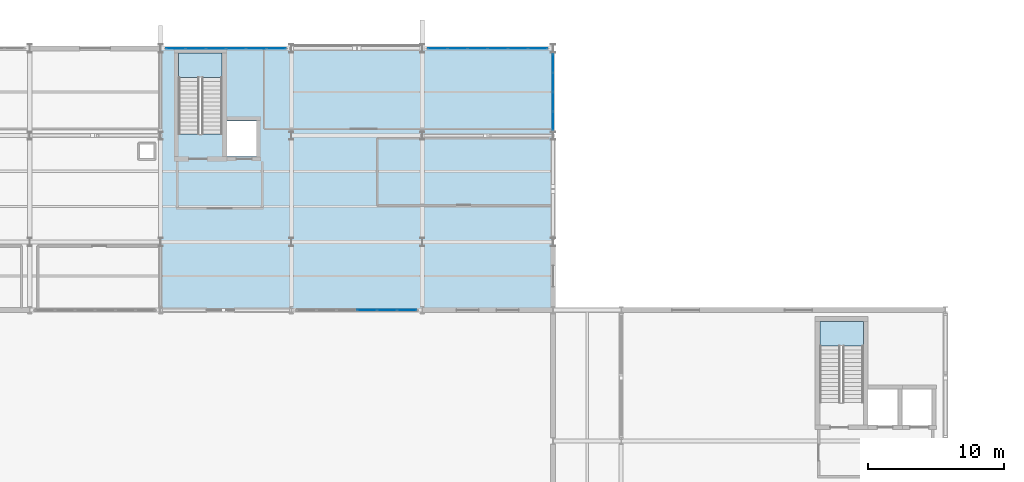
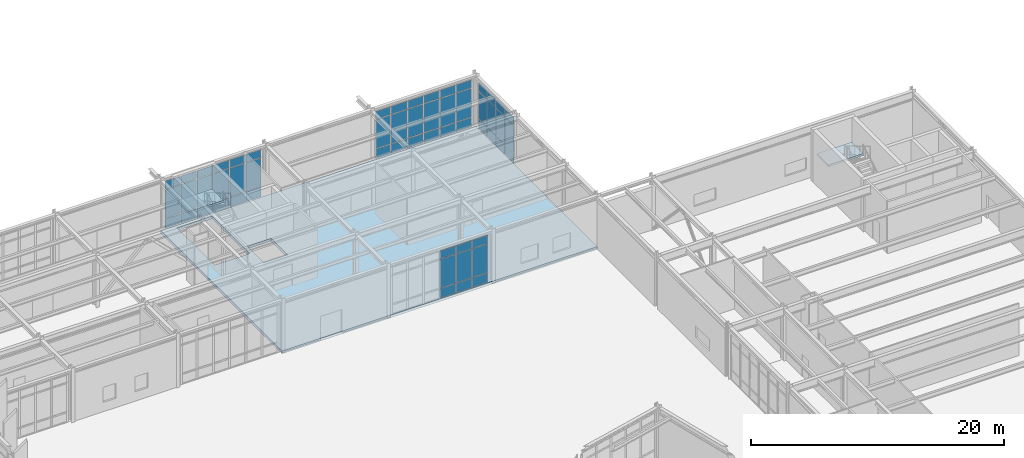
# One storey, part 76 of 109: 57 plates, 3 slabs, 6 elements without a shape of their own.
"""IFC4 building model written with IfcOpenShell, lengths in metres."""

from ifc_helpers import new_model, si_unit, direction, frame, origin, origin_2d, place, context, subcontext, project, spatial, polyline, rectangle, outline, extrude, material, layer, layer_set, type_object, element, aggregate, save


model = new_model("IFC4")

# Units and contexts
model_context = context("Model", 3, precision=1e-05, world=origin(), true_north=direction((0.0, 1.0)))
body_context = subcontext(model_context, "Body", "Model", "MODEL_VIEW")
ifc_project = project(units=[si_unit("LENGTHUNIT", "METRE"), si_unit("AREAUNIT", "SQUARE_METRE"), si_unit("VOLUMEUNIT", "CUBIC_METRE"), si_unit("PLANEANGLEUNIT", "RADIAN"), si_unit("MASSUNIT", "GRAM", prefix="KILO")], contexts=[model_context])

# Site, building, storey
site_placement = place(None, origin())
site = spatial("IfcSite", under=ifc_project, at=site_placement, CompositionType="ELEMENT")
building_placement = place(site_placement, origin())
building = spatial("IfcBuilding", under=site, at=building_placement, Name="Nordkorset Police Headquarters", CompositionType="ELEMENT")
storey_placement = place(building_placement, origin())
storey = spatial("IfcBuildingStorey", under=building, at=storey_placement, Name="L00", CompositionType="ELEMENT", Elevation=0.0)

# Curtain wall, plates
ifc_material_1 = material(Name="Aluminium alloy AW-6060", Category="aluminium")
ifc_layer_1 = layer(ifc_material_1, 0.179931640625, Name="Aluminium alloy AW-6060")
ifc_layer_set_1 = layer_set([ifc_layer_1], Name="Aluminium alloy AW-6060")
curtain_wall_type_1 = type_object("IfcCurtainWallType", Name="CW_Unit_888x467", PredefinedType="USERDEFINED", material=ifc_layer_set_1)
curtain_wall_1_placement = place(storey_placement, origin())
curtain_wall_1 = element("IfcCurtainWall", 1, at=curtain_wall_1_placement, inside=storey, type_object=curtain_wall_type_1, Name="Unitised Curtain Wall L00 V2N-3", ObjectType="UNITISED CURTAIN WALL", PredefinedType="USERDEFINED")
ifc_material_2 = material(Name="Low-iron triple glazing", Category="glass")
ifc_layer_2 = layer(ifc_material_2, 0.035888671875, Name="Low-iron triple glazing")
ifc_layer_set_2 = layer_set([ifc_layer_2], Name="Low-iron triple glazing")
plate_type = type_object("IfcPlateType", Name="CW_Panel_TripleGlazing_36", PredefinedType="CURTAIN_PANEL", material=ifc_layer_set_2)
plate_1_placement = place(storey_placement, frame((58.71630859375, 116.800048828125, 0.06494140625), z_axis=(0.0, 0.0, 1.0), x_axis=(1.0, 0.0, 0.0)))
plate_1 = element("IfcPlate", 2, at=plate_1_placement, type_object=plate_type, Name="CW-51 panel 1.1", PredefinedType="CURTAIN_PANEL", context=body_context, shape_type="SweptSolid", body=[
    extrude(rectangle(XDim=1.382568359375, YDim=0.035888671875, at=origin_2d()), origin(), (0.0, 0.0, 1.0), 0.902587890625),
])
plate_2_placement = place(storey_placement, frame((58.71630859375, 116.800048828125, 1.032470703125), z_axis=(0.0, 0.0, 1.0), x_axis=(1.0, 0.0, 0.0)))
plate_2 = element("IfcPlate", 3, at=plate_2_placement, type_object=plate_type, Name="CW-51 panel 1.2", PredefinedType="CURTAIN_PANEL", context=body_context, shape_type="SweptSolid", body=[
    extrude(rectangle(XDim=1.382568359375, YDim=0.035888671875, at=origin_2d()), origin(), (0.0, 0.0, 1.0), 2.7548828125),
])
plate_3_placement = place(storey_placement, frame((58.71630859375, 116.800048828125, 3.8525390625), z_axis=(0.0, 0.0, 1.0), x_axis=(1.0, 0.0, 0.0)))
plate_3 = element("IfcPlate", 4, at=plate_3_placement, type_object=plate_type, Name="CW-51 panel 1.3", PredefinedType="CURTAIN_PANEL", context=body_context, shape_type="SweptSolid", body=[
    extrude(rectangle(XDim=1.382568359375, YDim=0.035888671875, at=origin_2d()), origin(), (0.0, 0.0, 1.0), 0.75244140625),
])
plate_4_placement = place(storey_placement, frame((60.179931640625, 116.800048828125, 0.06494140625), z_axis=(0.0, 0.0, 1.0), x_axis=(1.0, 0.0, 0.0)))
plate_4 = element("IfcPlate", 5, at=plate_4_placement, type_object=plate_type, Name="CW-51 panel 2.1", PredefinedType="CURTAIN_PANEL", context=body_context, shape_type="SweptSolid", body=[
    extrude(rectangle(XDim=1.4150390625, YDim=0.035888671875, at=origin_2d()), origin(), (0.0, 0.0, 1.0), 0.902587890625),
])
plate_5_placement = place(storey_placement, frame((60.179931640625, 116.800048828125, 1.032470703125), z_axis=(0.0, 0.0, 1.0), x_axis=(1.0, 0.0, 0.0)))
plate_5 = element("IfcPlate", 6, at=plate_5_placement, type_object=plate_type, Name="CW-51 panel 2.2", PredefinedType="CURTAIN_PANEL", context=body_context, shape_type="SweptSolid", body=[
    extrude(rectangle(XDim=1.4150390625, YDim=0.035888671875, at=origin_2d()), origin(), (0.0, 0.0, 1.0), 2.7548828125),
])
plate_6_placement = place(storey_placement, frame((60.179931640625, 116.800048828125, 3.8525390625), z_axis=(0.0, 0.0, 1.0), x_axis=(1.0, 0.0, 0.0)))
plate_6 = element("IfcPlate", 7, at=plate_6_placement, type_object=plate_type, Name="CW-51 panel 2.3", PredefinedType="CURTAIN_PANEL", context=body_context, shape_type="SweptSolid", body=[
    extrude(rectangle(XDim=1.4150390625, YDim=0.035888671875, at=origin_2d()), origin(), (0.0, 0.0, 1.0), 0.75244140625),
])
plate_7_placement = place(storey_placement, frame((61.659912109375, 116.800048828125, 0.06494140625), z_axis=(0.0, 0.0, 1.0), x_axis=(1.0, 0.0, 0.0)))
plate_7 = element("IfcPlate", 8, at=plate_7_placement, type_object=plate_type, Name="CW-51 panel 3.1", PredefinedType="CURTAIN_PANEL", context=body_context, shape_type="SweptSolid", body=[
    extrude(rectangle(XDim=1.4150390625, YDim=0.035888671875, at=origin_2d()), origin(), (0.0, 0.0, 1.0), 0.902587890625),
])
plate_8_placement = place(storey_placement, frame((61.659912109375, 116.800048828125, 1.032470703125), z_axis=(0.0, 0.0, 1.0), x_axis=(1.0, 0.0, 0.0)))
plate_8 = element("IfcPlate", 9, at=plate_8_placement, type_object=plate_type, Name="CW-51 panel 3.2", PredefinedType="CURTAIN_PANEL", context=body_context, shape_type="SweptSolid", body=[
    extrude(rectangle(XDim=1.4150390625, YDim=0.035888671875, at=origin_2d()), origin(), (0.0, 0.0, 1.0), 2.7548828125),
])
plate_9_placement = place(storey_placement, frame((61.659912109375, 116.800048828125, 3.8525390625), z_axis=(0.0, 0.0, 1.0), x_axis=(1.0, 0.0, 0.0)))
plate_9 = element("IfcPlate", 10, at=plate_9_placement, type_object=plate_type, Name="CW-51 panel 3.3", PredefinedType="CURTAIN_PANEL", context=body_context, shape_type="SweptSolid", body=[
    extrude(rectangle(XDim=1.4150390625, YDim=0.035888671875, at=origin_2d()), origin(), (0.0, 0.0, 1.0), 0.75244140625),
])
plate_10_placement = place(storey_placement, frame((63.139892578125, 116.800048828125, 0.06494140625), z_axis=(0.0, 0.0, 1.0), x_axis=(1.0, 0.0, 0.0)))
plate_10 = element("IfcPlate", 11, at=plate_10_placement, type_object=plate_type, Name="CW-51 panel 4.1", PredefinedType="CURTAIN_PANEL", context=body_context, shape_type="SweptSolid", body=[
    extrude(rectangle(XDim=1.4150390625, YDim=0.035888671875, at=origin_2d()), origin(), (0.0, 0.0, 1.0), 0.902587890625),
])
plate_11_placement = place(storey_placement, frame((63.139892578125, 116.800048828125, 1.032470703125), z_axis=(0.0, 0.0, 1.0), x_axis=(1.0, 0.0, 0.0)))
plate_11 = element("IfcPlate", 12, at=plate_11_placement, type_object=plate_type, Name="CW-51 panel 4.2", PredefinedType="CURTAIN_PANEL", context=body_context, shape_type="SweptSolid", body=[
    extrude(rectangle(XDim=1.4150390625, YDim=0.035888671875, at=origin_2d()), origin(), (0.0, 0.0, 1.0), 2.7548828125),
])
plate_12_placement = place(storey_placement, frame((63.139892578125, 116.800048828125, 3.8525390625), z_axis=(0.0, 0.0, 1.0), x_axis=(1.0, 0.0, 0.0)))
plate_12 = element("IfcPlate", 13, at=plate_12_placement, type_object=plate_type, Name="CW-51 panel 4.3", PredefinedType="CURTAIN_PANEL", context=body_context, shape_type="SweptSolid", body=[
    extrude(rectangle(XDim=1.4150390625, YDim=0.035888671875, at=origin_2d()), origin(), (0.0, 0.0, 1.0), 0.75244140625),
])
plate_13_placement = place(storey_placement, frame((64.6201171875, 116.800048828125, 0.06494140625), z_axis=(0.0, 0.0, 1.0), x_axis=(1.0, 0.0, 0.0)))
plate_13 = element("IfcPlate", 14, at=plate_13_placement, type_object=plate_type, Name="CW-51 panel 5.1", PredefinedType="CURTAIN_PANEL", context=body_context, shape_type="SweptSolid", body=[
    extrude(rectangle(XDim=1.4150390625, YDim=0.035888671875, at=origin_2d()), origin(), (0.0, 0.0, 1.0), 0.902587890625),
])
plate_14_placement = place(storey_placement, frame((64.6201171875, 116.800048828125, 1.032470703125), z_axis=(0.0, 0.0, 1.0), x_axis=(1.0, 0.0, 0.0)))
plate_14 = element("IfcPlate", 15, at=plate_14_placement, type_object=plate_type, Name="CW-51 panel 5.2", PredefinedType="CURTAIN_PANEL", context=body_context, shape_type="SweptSolid", body=[
    extrude(rectangle(XDim=1.4150390625, YDim=0.035888671875, at=origin_2d()), origin(), (0.0, 0.0, 1.0), 2.7548828125),
])
plate_15_placement = place(storey_placement, frame((64.6201171875, 116.800048828125, 3.8525390625), z_axis=(0.0, 0.0, 1.0), x_axis=(1.0, 0.0, 0.0)))
plate_15 = element("IfcPlate", 16, at=plate_15_placement, type_object=plate_type, Name="CW-51 panel 5.3", PredefinedType="CURTAIN_PANEL", context=body_context, shape_type="SweptSolid", body=[
    extrude(rectangle(XDim=1.4150390625, YDim=0.035888671875, at=origin_2d()), origin(), (0.0, 0.0, 1.0), 0.75244140625),
])
plate_16_placement = place(storey_placement, frame((66.083740234375, 116.800048828125, 0.06494140625), z_axis=(0.0, 0.0, 1.0), x_axis=(1.0, 0.0, 0.0)))
plate_16 = element("IfcPlate", 17, at=plate_16_placement, type_object=plate_type, Name="CW-51 panel 6.1", PredefinedType="CURTAIN_PANEL", context=body_context, shape_type="SweptSolid", body=[
    extrude(rectangle(XDim=1.382568359375, YDim=0.035888671875, at=origin_2d()), origin(), (0.0, 0.0, 1.0), 0.902587890625),
])
plate_17_placement = place(storey_placement, frame((66.083740234375, 116.800048828125, 1.032470703125), z_axis=(0.0, 0.0, 1.0), x_axis=(1.0, 0.0, 0.0)))
plate_17 = element("IfcPlate", 18, at=plate_17_placement, type_object=plate_type, Name="CW-51 panel 6.2", PredefinedType="CURTAIN_PANEL", context=body_context, shape_type="SweptSolid", body=[
    extrude(rectangle(XDim=1.382568359375, YDim=0.035888671875, at=origin_2d()), origin(), (0.0, 0.0, 1.0), 2.7548828125),
])
plate_18_placement = place(storey_placement, frame((66.083740234375, 116.800048828125, 3.8525390625), z_axis=(0.0, 0.0, 1.0), x_axis=(1.0, 0.0, 0.0)))
plate_18 = element("IfcPlate", 19, at=plate_18_placement, type_object=plate_type, Name="CW-51 panel 6.3", PredefinedType="CURTAIN_PANEL", context=body_context, shape_type="SweptSolid", body=[
    extrude(rectangle(XDim=1.382568359375, YDim=0.035888671875, at=origin_2d()), origin(), (0.0, 0.0, 1.0), 0.75244140625),
])
aggregate(curtain_wall_1, [plate_1, plate_2, plate_3, plate_4, plate_5, plate_6, plate_7, plate_8, plate_9, plate_10, plate_11, plate_12, plate_13, plate_14, plate_15, plate_16, plate_17, plate_18])

curtain_wall_2_placement = place(storey_placement, origin())
curtain_wall_2 = element("IfcCurtainWall", 20, at=curtain_wall_2_placement, inside=storey, type_object=curtain_wall_type_1, Name="Unitised Curtain Wall L00 V2S-4", ObjectType="UNITISED CURTAIN WALL", PredefinedType="USERDEFINED")
plate_19_placement = place(storey_placement, frame((72.739990234375, 97.60009765625, 0.06494140625), z_axis=(0.0, 0.0, 1.0), x_axis=(1.0, 0.0, 0.0)))
plate_19 = element("IfcPlate", 21, at=plate_19_placement, type_object=plate_type, Name="CW-51 panel 4.1", PredefinedType="CURTAIN_PANEL", context=body_context, shape_type="SweptSolid", body=[
    extrude(rectangle(XDim=1.4150390625, YDim=0.035888671875, at=origin_2d()), origin(), (0.0, 0.0, 1.0), 0.902587890625),
])
plate_20_placement = place(storey_placement, frame((72.739990234375, 97.60009765625, 1.032470703125), z_axis=(0.0, 0.0, 1.0), x_axis=(1.0, 0.0, 0.0)))
plate_20 = element("IfcPlate", 22, at=plate_20_placement, type_object=plate_type, Name="CW-51 panel 4.2", PredefinedType="CURTAIN_PANEL", context=body_context, shape_type="SweptSolid", body=[
    extrude(rectangle(XDim=1.4150390625, YDim=0.035888671875, at=origin_2d()), origin(), (0.0, 0.0, 1.0), 2.7548828125),
])
plate_21_placement = place(storey_placement, frame((72.739990234375, 97.60009765625, 3.8525390625), z_axis=(0.0, 0.0, 1.0), x_axis=(1.0, 0.0, 0.0)))
plate_21 = element("IfcPlate", 23, at=plate_21_placement, type_object=plate_type, Name="CW-51 panel 4.3", PredefinedType="CURTAIN_PANEL", context=body_context, shape_type="SweptSolid", body=[
    extrude(rectangle(XDim=1.4150390625, YDim=0.035888671875, at=origin_2d()), origin(), (0.0, 0.0, 1.0), 0.75244140625),
])
plate_22_placement = place(storey_placement, frame((74.219970703125, 97.60009765625, 0.06494140625), z_axis=(0.0, 0.0, 1.0), x_axis=(1.0, 0.0, 0.0)))
plate_22 = element("IfcPlate", 24, at=plate_22_placement, type_object=plate_type, Name="CW-51 panel 5.1", PredefinedType="CURTAIN_PANEL", context=body_context, shape_type="SweptSolid", body=[
    extrude(rectangle(XDim=1.4150390625, YDim=0.035888671875, at=origin_2d()), origin(), (0.0, 0.0, 1.0), 0.902587890625),
])
plate_23_placement = place(storey_placement, frame((74.219970703125, 97.60009765625, 1.032470703125), z_axis=(0.0, 0.0, 1.0), x_axis=(1.0, 0.0, 0.0)))
plate_23 = element("IfcPlate", 25, at=plate_23_placement, type_object=plate_type, Name="CW-51 panel 5.2", PredefinedType="CURTAIN_PANEL", context=body_context, shape_type="SweptSolid", body=[
    extrude(rectangle(XDim=1.4150390625, YDim=0.035888671875, at=origin_2d()), origin(), (0.0, 0.0, 1.0), 2.7548828125),
])
plate_24_placement = place(storey_placement, frame((74.219970703125, 97.60009765625, 3.8525390625), z_axis=(0.0, 0.0, 1.0), x_axis=(1.0, 0.0, 0.0)))
plate_24 = element("IfcPlate", 26, at=plate_24_placement, type_object=plate_type, Name="CW-51 panel 5.3", PredefinedType="CURTAIN_PANEL", context=body_context, shape_type="SweptSolid", body=[
    extrude(rectangle(XDim=1.4150390625, YDim=0.035888671875, at=origin_2d()), origin(), (0.0, 0.0, 1.0), 0.75244140625),
])
plate_25_placement = place(storey_placement, frame((75.683837890625, 97.60009765625, 0.06494140625), z_axis=(0.0, 0.0, 1.0), x_axis=(1.0, 0.0, 0.0)))
plate_25 = element("IfcPlate", 27, at=plate_25_placement, type_object=plate_type, Name="CW-51 panel 6.1", PredefinedType="CURTAIN_PANEL", context=body_context, shape_type="SweptSolid", body=[
    extrude(rectangle(XDim=1.382568359375, YDim=0.035888671875, at=origin_2d()), origin(), (0.0, 0.0, 1.0), 0.902587890625),
])
plate_26_placement = place(storey_placement, frame((75.683837890625, 97.60009765625, 1.032470703125), z_axis=(0.0, 0.0, 1.0), x_axis=(1.0, 0.0, 0.0)))
plate_26 = element("IfcPlate", 28, at=plate_26_placement, type_object=plate_type, Name="CW-51 panel 6.2", PredefinedType="CURTAIN_PANEL", context=body_context, shape_type="SweptSolid", body=[
    extrude(rectangle(XDim=1.382568359375, YDim=0.035888671875, at=origin_2d()), origin(), (0.0, 0.0, 1.0), 2.7548828125),
])
plate_27_placement = place(storey_placement, frame((75.683837890625, 97.60009765625, 3.8525390625), z_axis=(0.0, 0.0, 1.0), x_axis=(1.0, 0.0, 0.0)))
plate_27 = element("IfcPlate", 29, at=plate_27_placement, type_object=plate_type, Name="CW-51 panel 6.3", PredefinedType="CURTAIN_PANEL", context=body_context, shape_type="SweptSolid", body=[
    extrude(rectangle(XDim=1.382568359375, YDim=0.035888671875, at=origin_2d()), origin(), (0.0, 0.0, 1.0), 0.75244140625),
])
aggregate(curtain_wall_2, [plate_19, plate_20, plate_21, plate_22, plate_23, plate_24, plate_25, plate_26, plate_27])

curtain_wall_3_placement = place(storey_placement, origin())
curtain_wall_3 = element("IfcCurtainWall", 30, at=curtain_wall_3_placement, inside=storey, type_object=curtain_wall_type_1, Name="Unitised Curtain Wall L00 V2N-5", ObjectType="UNITISED CURTAIN WALL", PredefinedType="USERDEFINED")
plate_28_placement = place(storey_placement, frame((77.916259765625, 116.800048828125, 0.06494140625), z_axis=(0.0, 0.0, 1.0), x_axis=(1.0, 0.0, 0.0)))
plate_28 = element("IfcPlate", 31, at=plate_28_placement, type_object=plate_type, Name="CW-51 panel 1.1", PredefinedType="CURTAIN_PANEL", context=body_context, shape_type="SweptSolid", body=[
    extrude(rectangle(XDim=1.382568359375, YDim=0.035888671875, at=origin_2d()), origin(), (0.0, 0.0, 1.0), 0.902587890625),
])
plate_29_placement = place(storey_placement, frame((77.916259765625, 116.800048828125, 1.032470703125), z_axis=(0.0, 0.0, 1.0), x_axis=(1.0, 0.0, 0.0)))
plate_29 = element("IfcPlate", 32, at=plate_29_placement, type_object=plate_type, Name="CW-51 panel 1.2", PredefinedType="CURTAIN_PANEL", context=body_context, shape_type="SweptSolid", body=[
    extrude(rectangle(XDim=1.382568359375, YDim=0.035888671875, at=origin_2d()), origin(), (0.0, 0.0, 1.0), 2.7548828125),
])
plate_30_placement = place(storey_placement, frame((77.916259765625, 116.800048828125, 3.8525390625), z_axis=(0.0, 0.0, 1.0), x_axis=(1.0, 0.0, 0.0)))
plate_30 = element("IfcPlate", 33, at=plate_30_placement, type_object=plate_type, Name="CW-51 panel 1.3", PredefinedType="CURTAIN_PANEL", context=body_context, shape_type="SweptSolid", body=[
    extrude(rectangle(XDim=1.382568359375, YDim=0.035888671875, at=origin_2d()), origin(), (0.0, 0.0, 1.0), 0.75244140625),
])
plate_31_placement = place(storey_placement, frame((79.3798828125, 116.800048828125, 0.06494140625), z_axis=(0.0, 0.0, 1.0), x_axis=(1.0, 0.0, 0.0)))
plate_31 = element("IfcPlate", 34, at=plate_31_placement, type_object=plate_type, Name="CW-51 panel 2.1", PredefinedType="CURTAIN_PANEL", context=body_context, shape_type="SweptSolid", body=[
    extrude(rectangle(XDim=1.4150390625, YDim=0.035888671875, at=origin_2d()), origin(), (0.0, 0.0, 1.0), 0.902587890625),
])
plate_32_placement = place(storey_placement, frame((79.3798828125, 116.800048828125, 1.032470703125), z_axis=(0.0, 0.0, 1.0), x_axis=(1.0, 0.0, 0.0)))
plate_32 = element("IfcPlate", 35, at=plate_32_placement, type_object=plate_type, Name="CW-51 panel 2.2", PredefinedType="CURTAIN_PANEL", context=body_context, shape_type="SweptSolid", body=[
    extrude(rectangle(XDim=1.4150390625, YDim=0.035888671875, at=origin_2d()), origin(), (0.0, 0.0, 1.0), 2.7548828125),
])
plate_33_placement = place(storey_placement, frame((79.3798828125, 116.800048828125, 3.8525390625), z_axis=(0.0, 0.0, 1.0), x_axis=(1.0, 0.0, 0.0)))
plate_33 = element("IfcPlate", 36, at=plate_33_placement, type_object=plate_type, Name="CW-51 panel 2.3", PredefinedType="CURTAIN_PANEL", context=body_context, shape_type="SweptSolid", body=[
    extrude(rectangle(XDim=1.4150390625, YDim=0.035888671875, at=origin_2d()), origin(), (0.0, 0.0, 1.0), 0.75244140625),
])
plate_34_placement = place(storey_placement, frame((80.860107421875, 116.800048828125, 0.06494140625), z_axis=(0.0, 0.0, 1.0), x_axis=(1.0, 0.0, 0.0)))
plate_34 = element("IfcPlate", 37, at=plate_34_placement, type_object=plate_type, Name="CW-51 panel 3.1", PredefinedType="CURTAIN_PANEL", context=body_context, shape_type="SweptSolid", body=[
    extrude(rectangle(XDim=1.4150390625, YDim=0.035888671875, at=origin_2d()), origin(), (0.0, 0.0, 1.0), 0.902587890625),
])
plate_35_placement = place(storey_placement, frame((80.860107421875, 116.800048828125, 1.032470703125), z_axis=(0.0, 0.0, 1.0), x_axis=(1.0, 0.0, 0.0)))
plate_35 = element("IfcPlate", 38, at=plate_35_placement, type_object=plate_type, Name="CW-51 panel 3.2", PredefinedType="CURTAIN_PANEL", context=body_context, shape_type="SweptSolid", body=[
    extrude(rectangle(XDim=1.4150390625, YDim=0.035888671875, at=origin_2d()), origin(), (0.0, 0.0, 1.0), 2.7548828125),
])
plate_36_placement = place(storey_placement, frame((80.860107421875, 116.800048828125, 3.8525390625), z_axis=(0.0, 0.0, 1.0), x_axis=(1.0, 0.0, 0.0)))
plate_36 = element("IfcPlate", 39, at=plate_36_placement, type_object=plate_type, Name="CW-51 panel 3.3", PredefinedType="CURTAIN_PANEL", context=body_context, shape_type="SweptSolid", body=[
    extrude(rectangle(XDim=1.4150390625, YDim=0.035888671875, at=origin_2d()), origin(), (0.0, 0.0, 1.0), 0.75244140625),
])
plate_37_placement = place(storey_placement, frame((82.340087890625, 116.800048828125, 0.06494140625), z_axis=(0.0, 0.0, 1.0), x_axis=(1.0, 0.0, 0.0)))
plate_37 = element("IfcPlate", 40, at=plate_37_placement, type_object=plate_type, Name="CW-51 panel 4.1", PredefinedType="CURTAIN_PANEL", context=body_context, shape_type="SweptSolid", body=[
    extrude(rectangle(XDim=1.4150390625, YDim=0.035888671875, at=origin_2d()), origin(), (0.0, 0.0, 1.0), 0.902587890625),
])
plate_38_placement = place(storey_placement, frame((82.340087890625, 116.800048828125, 1.032470703125), z_axis=(0.0, 0.0, 1.0), x_axis=(1.0, 0.0, 0.0)))
plate_38 = element("IfcPlate", 41, at=plate_38_placement, type_object=plate_type, Name="CW-51 panel 4.2", PredefinedType="CURTAIN_PANEL", context=body_context, shape_type="SweptSolid", body=[
    extrude(rectangle(XDim=1.4150390625, YDim=0.035888671875, at=origin_2d()), origin(), (0.0, 0.0, 1.0), 2.7548828125),
])
plate_39_placement = place(storey_placement, frame((82.340087890625, 116.800048828125, 3.8525390625), z_axis=(0.0, 0.0, 1.0), x_axis=(1.0, 0.0, 0.0)))
plate_39 = element("IfcPlate", 42, at=plate_39_placement, type_object=plate_type, Name="CW-51 panel 4.3", PredefinedType="CURTAIN_PANEL", context=body_context, shape_type="SweptSolid", body=[
    extrude(rectangle(XDim=1.4150390625, YDim=0.035888671875, at=origin_2d()), origin(), (0.0, 0.0, 1.0), 0.75244140625),
])
plate_40_placement = place(storey_placement, frame((83.820068359375, 116.800048828125, 0.06494140625), z_axis=(0.0, 0.0, 1.0), x_axis=(1.0, 0.0, 0.0)))
plate_40 = element("IfcPlate", 43, at=plate_40_placement, type_object=plate_type, Name="CW-51 panel 5.1", PredefinedType="CURTAIN_PANEL", context=body_context, shape_type="SweptSolid", body=[
    extrude(rectangle(XDim=1.4150390625, YDim=0.035888671875, at=origin_2d()), origin(), (0.0, 0.0, 1.0), 0.902587890625),
])
plate_41_placement = place(storey_placement, frame((83.820068359375, 116.800048828125, 1.032470703125), z_axis=(0.0, 0.0, 1.0), x_axis=(1.0, 0.0, 0.0)))
plate_41 = element("IfcPlate", 44, at=plate_41_placement, type_object=plate_type, Name="CW-51 panel 5.2", PredefinedType="CURTAIN_PANEL", context=body_context, shape_type="SweptSolid", body=[
    extrude(rectangle(XDim=1.4150390625, YDim=0.035888671875, at=origin_2d()), origin(), (0.0, 0.0, 1.0), 2.7548828125),
])
plate_42_placement = place(storey_placement, frame((83.820068359375, 116.800048828125, 3.8525390625), z_axis=(0.0, 0.0, 1.0), x_axis=(1.0, 0.0, 0.0)))
plate_42 = element("IfcPlate", 45, at=plate_42_placement, type_object=plate_type, Name="CW-51 panel 5.3", PredefinedType="CURTAIN_PANEL", context=body_context, shape_type="SweptSolid", body=[
    extrude(rectangle(XDim=1.4150390625, YDim=0.035888671875, at=origin_2d()), origin(), (0.0, 0.0, 1.0), 0.75244140625),
])
plate_43_placement = place(storey_placement, frame((85.28369140625, 116.800048828125, 0.06494140625), z_axis=(0.0, 0.0, 1.0), x_axis=(1.0, 0.0, 0.0)))
plate_43 = element("IfcPlate", 46, at=plate_43_placement, type_object=plate_type, Name="CW-51 panel 6.1", PredefinedType="CURTAIN_PANEL", context=body_context, shape_type="SweptSolid", body=[
    extrude(rectangle(XDim=1.382568359375, YDim=0.035888671875, at=origin_2d()), origin(), (0.0, 0.0, 1.0), 0.902587890625),
])
plate_44_placement = place(storey_placement, frame((85.28369140625, 116.800048828125, 1.032470703125), z_axis=(0.0, 0.0, 1.0), x_axis=(1.0, 0.0, 0.0)))
plate_44 = element("IfcPlate", 47, at=plate_44_placement, type_object=plate_type, Name="CW-51 panel 6.2", PredefinedType="CURTAIN_PANEL", context=body_context, shape_type="SweptSolid", body=[
    extrude(rectangle(XDim=1.382568359375, YDim=0.035888671875, at=origin_2d()), origin(), (0.0, 0.0, 1.0), 2.7548828125),
])
plate_45_placement = place(storey_placement, frame((85.28369140625, 116.800048828125, 3.8525390625), z_axis=(0.0, 0.0, 1.0), x_axis=(1.0, 0.0, 0.0)))
plate_45 = element("IfcPlate", 48, at=plate_45_placement, type_object=plate_type, Name="CW-51 panel 6.3", PredefinedType="CURTAIN_PANEL", context=body_context, shape_type="SweptSolid", body=[
    extrude(rectangle(XDim=1.382568359375, YDim=0.035888671875, at=origin_2d()), origin(), (0.0, 0.0, 1.0), 0.75244140625),
])
aggregate(curtain_wall_3, [plate_28, plate_29, plate_30, plate_31, plate_32, plate_33, plate_34, plate_35, plate_36, plate_37, plate_38, plate_39, plate_40, plate_41, plate_42, plate_43, plate_44, plate_45])

ifc_material_3 = material(Name="Aluminium alloy AW-6060", Category="aluminium")
ifc_layer_3 = layer(ifc_material_3, 0.179931640625, Name="Aluminium alloy AW-6060")
ifc_layer_set_3 = layer_set([ifc_layer_3], Name="Aluminium alloy AW-6060")
curtain_wall_type_2 = type_object("IfcCurtainWallType", Name="CW_Unit_568x454", PredefinedType="USERDEFINED", material=ifc_layer_set_3)
curtain_wall_4_placement = place(storey_placement, origin())
curtain_wall_4 = element("IfcCurtainWall", 49, at=curtain_wall_4_placement, inside=storey, type_object=curtain_wall_type_2, Name="Unitised Curtain Wall L00 V2E-1", ObjectType="UNITISED CURTAIN WALL", PredefinedType="USERDEFINED")
plate_46_placement = place(storey_placement, frame((86.39990234375, 111.486328125, 0.06494140625), z_axis=(0.0, 0.0, 1.0), x_axis=(0.0, 1.0, 0.0)))
plate_46 = element("IfcPlate", 50, at=plate_46_placement, type_object=plate_type, Name="CW-56 panel 1.1", PredefinedType="CURTAIN_PANEL", context=body_context, shape_type="SweptSolid", body=[
    extrude(rectangle(XDim=1.322509765625, YDim=0.035888671875, at=origin_2d()), origin(), (0.0, 0.0, 1.0), 0.902587890625),
])
plate_47_placement = place(storey_placement, frame((86.39990234375, 111.486328125, 1.032470703125), z_axis=(0.0, 0.0, 1.0), x_axis=(0.0, 1.0, 0.0)))
plate_47 = element("IfcPlate", 51, at=plate_47_placement, type_object=plate_type, Name="CW-56 panel 1.2", PredefinedType="CURTAIN_PANEL", context=body_context, shape_type="SweptSolid", body=[
    extrude(rectangle(XDim=1.322509765625, YDim=0.035888671875, at=origin_2d()), origin(), (0.0, 0.0, 1.0), 2.625),
])
plate_48_placement = place(storey_placement, frame((86.39990234375, 111.486328125, 3.722412109375), z_axis=(0.0, 0.0, 1.0), x_axis=(0.0, 1.0, 0.0)))
plate_48 = element("IfcPlate", 52, at=plate_48_placement, type_object=plate_type, Name="CW-56 panel 1.3", PredefinedType="CURTAIN_PANEL", context=body_context, shape_type="SweptSolid", body=[
    extrude(rectangle(XDim=1.322509765625, YDim=0.035888671875, at=origin_2d()), origin(), (0.0, 0.0, 1.0), 0.75244140625),
])
plate_49_placement = place(storey_placement, frame((86.39990234375, 112.889892578125, 0.06494140625), z_axis=(0.0, 0.0, 1.0), x_axis=(0.0, 1.0, 0.0)))
plate_49 = element("IfcPlate", 53, at=plate_49_placement, type_object=plate_type, Name="CW-56 panel 2.1", PredefinedType="CURTAIN_PANEL", context=body_context, shape_type="SweptSolid", body=[
    extrude(rectangle(XDim=1.35498046875, YDim=0.035888671875, at=origin_2d()), origin(), (0.0, 0.0, 1.0), 0.902587890625),
])
plate_50_placement = place(storey_placement, frame((86.39990234375, 112.889892578125, 1.032470703125), z_axis=(0.0, 0.0, 1.0), x_axis=(0.0, 1.0, 0.0)))
plate_50 = element("IfcPlate", 54, at=plate_50_placement, type_object=plate_type, Name="CW-56 panel 2.2", PredefinedType="CURTAIN_PANEL", context=body_context, shape_type="SweptSolid", body=[
    extrude(rectangle(XDim=1.35498046875, YDim=0.035888671875, at=origin_2d()), origin(), (0.0, 0.0, 1.0), 2.625),
])
plate_51_placement = place(storey_placement, frame((86.39990234375, 112.889892578125, 3.722412109375), z_axis=(0.0, 0.0, 1.0), x_axis=(0.0, 1.0, 0.0)))
plate_51 = element("IfcPlate", 55, at=plate_51_placement, type_object=plate_type, Name="CW-56 panel 2.3", PredefinedType="CURTAIN_PANEL", context=body_context, shape_type="SweptSolid", body=[
    extrude(rectangle(XDim=1.35498046875, YDim=0.035888671875, at=origin_2d()), origin(), (0.0, 0.0, 1.0), 0.75244140625),
])
plate_52_placement = place(storey_placement, frame((86.39990234375, 114.31005859375, 0.06494140625), z_axis=(0.0, 0.0, 1.0), x_axis=(0.0, 1.0, 0.0)))
plate_52 = element("IfcPlate", 56, at=plate_52_placement, type_object=plate_type, Name="CW-56 panel 3.1", PredefinedType="CURTAIN_PANEL", context=body_context, shape_type="SweptSolid", body=[
    extrude(rectangle(XDim=1.35498046875, YDim=0.035888671875, at=origin_2d()), origin(), (0.0, 0.0, 1.0), 0.902587890625),
])
plate_53_placement = place(storey_placement, frame((86.39990234375, 114.31005859375, 1.032470703125), z_axis=(0.0, 0.0, 1.0), x_axis=(0.0, 1.0, 0.0)))
plate_53 = element("IfcPlate", 57, at=plate_53_placement, type_object=plate_type, Name="CW-56 panel 3.2", PredefinedType="CURTAIN_PANEL", context=body_context, shape_type="SweptSolid", body=[
    extrude(rectangle(XDim=1.35498046875, YDim=0.035888671875, at=origin_2d()), origin(), (0.0, 0.0, 1.0), 2.625),
])
plate_54_placement = place(storey_placement, frame((86.39990234375, 114.31005859375, 3.722412109375), z_axis=(0.0, 0.0, 1.0), x_axis=(0.0, 1.0, 0.0)))
plate_54 = element("IfcPlate", 58, at=plate_54_placement, type_object=plate_type, Name="CW-56 panel 3.3", PredefinedType="CURTAIN_PANEL", context=body_context, shape_type="SweptSolid", body=[
    extrude(rectangle(XDim=1.35498046875, YDim=0.035888671875, at=origin_2d()), origin(), (0.0, 0.0, 1.0), 0.75244140625),
])
plate_55_placement = place(storey_placement, frame((86.39990234375, 115.7138671875, 0.06494140625), z_axis=(0.0, 0.0, 1.0), x_axis=(0.0, 1.0, 0.0)))
plate_55 = element("IfcPlate", 59, at=plate_55_placement, type_object=plate_type, Name="CW-56 panel 4.1", PredefinedType="CURTAIN_PANEL", context=body_context, shape_type="SweptSolid", body=[
    extrude(rectangle(XDim=1.322509765625, YDim=0.035888671875, at=origin_2d()), origin(), (0.0, 0.0, 1.0), 0.902587890625),
])
plate_56_placement = place(storey_placement, frame((86.39990234375, 115.7138671875, 1.032470703125), z_axis=(0.0, 0.0, 1.0), x_axis=(0.0, 1.0, 0.0)))
plate_56 = element("IfcPlate", 60, at=plate_56_placement, type_object=plate_type, Name="CW-56 panel 4.2", PredefinedType="CURTAIN_PANEL", context=body_context, shape_type="SweptSolid", body=[
    extrude(rectangle(XDim=1.322509765625, YDim=0.035888671875, at=origin_2d()), origin(), (0.0, 0.0, 1.0), 2.625),
])
plate_57_placement = place(storey_placement, frame((86.39990234375, 115.7138671875, 3.722412109375), z_axis=(0.0, 0.0, 1.0), x_axis=(0.0, 1.0, 0.0)))
plate_57 = element("IfcPlate", 61, at=plate_57_placement, type_object=plate_type, Name="CW-56 panel 4.3", PredefinedType="CURTAIN_PANEL", context=body_context, shape_type="SweptSolid", body=[
    extrude(rectangle(XDim=1.322509765625, YDim=0.035888671875, at=origin_2d()), origin(), (0.0, 0.0, 1.0), 0.75244140625),
])
aggregate(curtain_wall_4, [plate_46, plate_47, plate_48, plate_49, plate_50, plate_51, plate_52, plate_53, plate_54, plate_55, plate_56, plate_57])

# Slab
ifc_material_4 = material(Name="Concrete C35/45", Category="concrete")
ifc_layer_4 = layer(ifc_material_4, 0.27001953125, Name="Concrete C35/45")
ifc_layer_set_4 = layer_set([ifc_layer_4], Name="Concrete C35/45")
slab_type_1 = type_object("IfcSlabType", Name="Slab_Ground_270", PredefinedType="FLOOR", material=ifc_layer_set_4)
slab_1_placement = place(storey_placement, frame((0.0, 0.0, -0.27001953125)))
element("IfcSlab", 62, at=slab_1_placement, inside=storey, type_object=slab_type_1, Name="Composite Floor Slab V2 East L00", PredefinedType="FLOOR", context=body_context, shape_type="SweptSolid", body=[
    extrude(outline(polyline([(86.39990234375, 116.800048828125), (86.39990234375, 97.60009765625), (57.60205078125, 97.60009765625), (57.60205078125, 116.800048828125), (86.39990234375, 116.800048828125)]), holes=[polyline([(58.925048828125, 116.47509765625), (58.925048828125, 110.528076171875), (62.125, 110.528076171875), (62.125, 116.47509765625), (58.925048828125, 116.47509765625)]), polyline([(64.625, 111.47509765625), (62.47509765625, 111.47509765625), (62.47509765625, 108.875), (64.625, 108.875), (64.625, 111.47509765625)])]), origin(), (0.0, 0.0, 1.0), 0.27001953125),
])

# Stair, slab
ifc_material_5 = material(Name="Concrete C35/45", Category="concrete")
stair_type = type_object("IfcStairType", Name="ST-52", PredefinedType="HALF_TURN_STAIR", material=ifc_material_5)
stair_1_placement = place(storey_placement, origin())
stair_1 = element("IfcStair", 63, at=stair_1_placement, inside=storey, type_object=stair_type, Name="L00 Protected Escape Stair ST-02", PredefinedType="HALF_TURN_STAIR")
ifc_material_6 = material(Name="Concrete C35/45", Category="concrete")
ifc_layer_5 = layer(ifc_material_6, 0.199951171875, Name="Concrete C35/45")
ifc_layer_set_5 = layer_set([ifc_layer_5], Name="Concrete C35/45")
slab_type_2 = type_object("IfcSlabType", Name="Slab_StairLanding_200", PredefinedType="LANDING", material=ifc_layer_set_5)
slab_2_placement = place(storey_placement, frame((0.0, 0.0, 2.425048828125)))
slab_2 = element("IfcSlab", 64, at=slab_2_placement, type_object=slab_type_2, Name="ST-02 landing 1", PredefinedType="LANDING", context=body_context, shape_type="SweptSolid", body=[
    extrude(outline(polyline([(62.125, 114.655029296875), (62.125, 116.47509765625), (58.925048828125, 116.47509765625), (58.925048828125, 114.655029296875), (62.125, 114.655029296875)])), origin(), (0.0, 0.0, 1.0), 0.199951171875),
])
aggregate(stair_1, [slab_2])

stair_2_placement = place(storey_placement, origin())
stair_2 = element("IfcStair", 65, at=stair_2_placement, inside=storey, type_object=stair_type, Name="L00 Protected Escape Stair ST-05", PredefinedType="HALF_TURN_STAIR")
slab_3_placement = place(storey_placement, frame((0.0, 0.0, 2.425048828125)))
slab_3 = element("IfcSlab", 66, at=slab_3_placement, type_object=slab_type_2, Name="ST-05 landing 1", PredefinedType="LANDING", context=body_context, shape_type="SweptSolid", body=[
    extrude(outline(polyline([(109.175048828125, 94.955078125), (109.175048828125, 96.77490234375), (105.97509765625, 96.77490234375), (105.97509765625, 94.955078125), (109.175048828125, 94.955078125)])), origin(), (0.0, 0.0, 1.0), 0.199951171875),
])
aggregate(stair_2, [slab_3])

save(model, "model.ifc")
